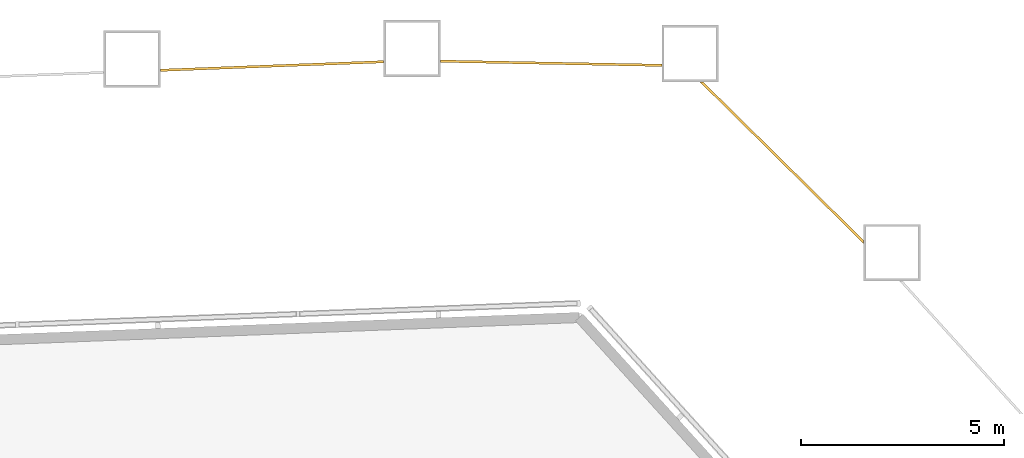
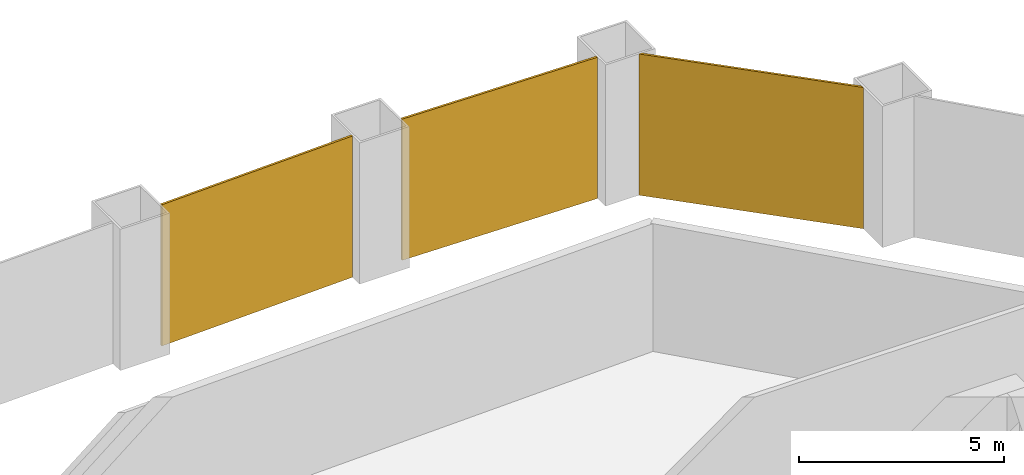
# One storey, part 18 of 18: 3 coverings.
"""IFC4 building model written with IfcOpenShell, lengths in metres."""

import ifcopenshell
import ifcopenshell.guid

model = None  # the IFC model being written
_history = None  # IfcOwnerHistory: only IFC2X3 demands one
_inside = {}  # id of a spatial element -> (the spatial element, [elements in it])
_under = {}  # id of a project, library or spatial element -> (it, [spatial elements below it])
_declared = {}  # id of a project -> (the project, [libraries it declares])
_typed = {}  # id of a type object -> (the type object, [elements of that type])
_made_of = {}  # id of a material, layer set ... -> (it, [elements and type objects made of it])


def new_model(schema):
    """Start an empty IFC model of exactly this schema.

    Asked for "IFC4X3", IfcOpenShell would pick the latest addendum, in which some entities
    have other attributes; the version numbers below select the first issue.
    IFC2X3 requires an IfcOwnerHistory on every rooted entity: one is made here for all.
    """
    global model, _history
    if schema == "IFC4X3":
        model = ifcopenshell.file(schema_version=(4, 3, 0, 0))
    else:
        model = ifcopenshell.file(schema=schema)
    _inside.clear()
    _under.clear()
    _declared.clear()
    _typed.clear()
    _made_of.clear()
    _history = None
    if model.schema == "IFC2X3":
        org = make("IfcOrganization", Name="unknown")
        user = make(
            "IfcPersonAndOrganization",
            ThePerson=make("IfcPerson", FamilyName="unknown"),
            TheOrganization=org,
        )
        app = make(
            "IfcApplication",
            ApplicationDeveloper=org,
            Version="unknown",
            ApplicationFullName="unknown",
            ApplicationIdentifier="unknown",
        )
        _history = make(
            "IfcOwnerHistory",
            OwningUser=user,
            OwningApplication=app,
            ChangeAction="ADDED",
            CreationDate=0,
        )
    return model


def make(cls, **values):
    """One entity of the class cls with the attributes given. An attribute that is None is left unset."""
    return model.create_entity(
        cls, **{name: value for name, value in values.items() if value is not None}
    )


def rooted(cls, **values):
    """An entity with a GlobalId (a new one), such as an element, a storey or a relation."""
    return make(cls, GlobalId=ifcopenshell.guid.new(), OwnerHistory=_history, **values)


def si_unit(unit_type, name, prefix=None):
    """IfcSIUnit, for example si_unit("LENGTHUNIT", "METRE", prefix="MILLI")."""
    return make("IfcSIUnit", UnitType=unit_type, Prefix=prefix, Name=name)


def assignment(units):
    """IfcUnitAssignment: the units of a project."""
    return None if units is None else make("IfcUnitAssignment", Units=units)


def point(xyz):
    """IfcCartesianPoint."""
    return None if xyz is None else make("IfcCartesianPoint", Coordinates=xyz)


def direction(xyz):
    """IfcDirection."""
    return None if xyz is None else make("IfcDirection", DirectionRatios=xyz)


def frame(location, z_axis=None, x_axis=None):
    """IfcAxis2Placement3D, a coordinate frame: its origin and axes. An axis left out is left unset."""
    return make(
        "IfcAxis2Placement3D",
        Location=point(location),
        Axis=direction(z_axis),
        RefDirection=direction(x_axis),
    )


def origin():
    """The frame at (0, 0, 0) with its axes left unset."""
    return frame((0.0, 0.0, 0.0))


def place(relative_to, where):
    """IfcLocalPlacement: puts the frame where relative to a parent placement (None: the world)."""
    return make(
        "IfcLocalPlacement", PlacementRelTo=relative_to, RelativePlacement=where
    )


def context(
    kind, dimensions, precision=None, world=None, true_north=None, identifier=None
):
    """IfcGeometricRepresentationContext, for example the 3D "Model" context."""
    return make(
        "IfcGeometricRepresentationContext",
        ContextIdentifier=identifier,
        ContextType=kind,
        CoordinateSpaceDimension=dimensions,
        Precision=precision,
        WorldCoordinateSystem=world,
        TrueNorth=true_north,
    )


def subcontext(parent, identifier, kind, view, scale=None):
    """IfcGeometricRepresentationSubContext, for example "Body" below "Model"."""
    return make(
        "IfcGeometricRepresentationSubContext",
        ContextIdentifier=identifier,
        ContextType=kind,
        ParentContext=parent,
        TargetScale=scale,
        TargetView=view,
    )


def project(units=None, contexts=None):
    """IfcProject with its units and contexts."""
    return rooted(
        "IfcProject",
        Name="project",
        RepresentationContexts=contexts,
        UnitsInContext=assignment(units),
    )


def spatial(cls, under=None, at=None, **own):
    """A site, building, storey or space (cls), placed at a placement, below another one or the project."""
    s = rooted(cls, ObjectPlacement=at, **own)
    if under is not None:
        _under.setdefault(under.id(), (under, []))[1].append(s)
    return s


def polyline(points):
    """IfcPolyline through the points."""
    return make("IfcPolyline", Points=[point(p) for p in points])


def outline(outer, holes=None, kind="AREA"):
    """IfcArbitraryClosedProfileDef: a profile drawn as a closed curve; with holes, ...WithVoids."""
    if holes is None:
        return make("IfcArbitraryClosedProfileDef", ProfileType=kind, OuterCurve=outer)
    return make(
        "IfcArbitraryProfileDefWithVoids",
        ProfileType=kind,
        OuterCurve=outer,
        InnerCurves=holes,
    )


def extrude(swept, where, along, depth):
    """IfcExtrudedAreaSolid: the profile swept, set in the frame where, extruded along a direction by depth."""
    return make(
        "IfcExtrudedAreaSolid",
        SweptArea=swept,
        Position=where,
        ExtrudedDirection=direction(along),
        Depth=depth,
    )


def shape(context_of_items, identifier, shape_type, items):
    """IfcShapeRepresentation: the items that make up one representation, for example the "Body"."""
    return make(
        "IfcShapeRepresentation",
        ContextOfItems=context_of_items,
        RepresentationIdentifier=identifier,
        RepresentationType=shape_type,
        Items=items,
    )


def material(Name=None, Category=None):
    """IfcMaterial."""
    return make("IfcMaterial", Name=Name, Category=Category)


def layer(
    of_material, thickness, ventilated=None, Name=None, Category=None, Priority=None
):
    """IfcMaterialLayer: one layer of a wall or slab, of a material (None: an air gap)."""
    return make(
        "IfcMaterialLayer",
        Material=of_material,
        LayerThickness=thickness,
        IsVentilated=ventilated,
        Name=Name,
        Category=Category,
        Priority=Priority,
    )


def layer_set(layers, Name=None):
    """IfcMaterialLayerSet."""
    return make("IfcMaterialLayerSet", MaterialLayers=layers, LayerSetName=Name)


def made_of(thing, what):
    """Note that an element or type object is made of a material, layer set ...; save() writes the relation."""
    if what is not None:
        _made_of.setdefault(what.id(), (what, []))[1].append(thing)
    return thing


def type_object(cls, material=None, **own):
    """A type object (cls), such as IfcWallType, which elements share."""
    return made_of(rooted(cls, **own), material)


def element(
    cls,
    number,
    at=None,
    inside=None,
    cuts=None,
    type_object=None,
    material=None,
    context=None,
    identifier="Body",
    shape_type=None,
    held_by="IfcProductDefinitionShape",
    body=None,
    shapes=None,
    **own,
):
    """One element of the class cls, such as IfcWall. Its Tag is "e" and its number.

    at: its placement. inside: the storey or other place that contains it. cuts: it is an
    opening in that element (IfcRelVoidsElement). A single representation is given by context,
    identifier, shape_type and body (its items); several are given by shapes. held_by: the class
    of the entity that holds the representations. save() writes the other relations.
    """
    e = rooted(cls, Tag="e%d" % number, ObjectPlacement=at, **own)
    if body is not None:
        shapes = [shape(context, identifier, shape_type, body)]
    if shapes is not None:
        e.Representation = make(held_by, Representations=shapes)
    if inside is not None:
        _inside.setdefault(inside.id(), (inside, []))[1].append(e)
    if cuts is not None:
        rooted(
            "IfcRelVoidsElement", RelatingBuildingElement=cuts, RelatedOpeningElement=e
        )
    if type_object is not None:
        _typed.setdefault(type_object.id(), (type_object, []))[1].append(e)
    return made_of(e, material)


def aggregate(whole, parts):
    """IfcRelAggregates: a whole, such as a stair, and the parts it consists of."""
    return rooted("IfcRelAggregates", RelatingObject=whole, RelatedObjects=parts)


def save(model, path):
    """Write the relations noted so far, then the file.

    IfcRelAggregates (storeys below a building ...), IfcRelContainedInSpatialStructure (elements
    in a storey), IfcRelDefinesByType, IfcRelAssociatesMaterial and IfcRelDeclares: one each for
    every whole, place, type object, material and project.
    """
    for whole, parts in _under.values():
        aggregate(whole, parts)
    for where, things in _inside.values():
        rooted(
            "IfcRelContainedInSpatialStructure",
            RelatedElements=things,
            RelatingStructure=where,
        )
    for kind, things in _typed.values():
        rooted("IfcRelDefinesByType", RelatedObjects=things, RelatingType=kind)
    for what, things in _made_of.values():
        rooted("IfcRelAssociatesMaterial", RelatedObjects=things, RelatingMaterial=what)
    for by, libraries in _declared.values():
        rooted("IfcRelDeclares", RelatingContext=by, RelatedDefinitions=libraries)
    model.write(path)


model = new_model("IFC4")

# Units and contexts
model_context = context("Model", 3, precision=1e-05, world=origin(), true_north=direction((0.0, 1.0)))
body_context = subcontext(model_context, "Body", "Model", "MODEL_VIEW")
ifc_project = project(units=[si_unit("LENGTHUNIT", "METRE"), si_unit("AREAUNIT", "SQUARE_METRE"), si_unit("VOLUMEUNIT", "CUBIC_METRE"), si_unit("PLANEANGLEUNIT", "RADIAN"), si_unit("MASSUNIT", "GRAM", prefix="KILO")], contexts=[model_context])

# Site, building, storey
site_placement = place(None, origin())
site = spatial("IfcSite", under=ifc_project, at=site_placement, CompositionType="ELEMENT")
building_placement = place(site_placement, origin())
building = spatial("IfcBuilding", under=site, at=building_placement, Name="Dongbaek Canopy Tower", CompositionType="ELEMENT")
storey_placement = place(building_placement, frame((0.0, 0.0, 359.0)))
storey = spatial("IfcBuildingStorey", under=building, at=storey_placement, Name="L77", CompositionType="ELEMENT", Elevation=359.0)

# Coverings
ifc_material = material(Name="Perforated pale metal")
ifc_layer = layer(ifc_material, 0.06005859375)
ifc_layer_set = layer_set([ifc_layer], Name="Crown plant screen")
covering_type = type_object("IfcCoveringType", Name="Crown plant screen", PredefinedType="CLADDING", material=ifc_layer_set)
covering_1_placement = place(storey_placement, origin())
element("IfcCovering", 1, at=covering_1_placement, inside=storey, type_object=covering_type, Name="Crown plant screen 17 L77", PredefinedType="CLADDING", context=body_context, shape_type="SweptSolid", body=[
    extrude(outline(polyline([(16.575927734375, 22.9775390625), (16.575927734375, 22.893310546875), (12.553466796875, 26.863037109375), (12.638916015625, 26.863037109375), (16.575927734375, 22.9775390625)])), origin(), (0.0, 0.0, 1.0), 4.199951171875),
])
covering_2_placement = place(storey_placement, origin())
element("IfcCovering", 2, at=covering_2_placement, inside=storey, type_object=covering_type, Name="Crown plant screen 18 L77", PredefinedType="CLADDING", context=body_context, shape_type="SweptSolid", body=[
    extrude(outline(polyline([(11.614013671875, 27.30615234375), (11.614013671875, 27.24609375), (6.1708984375, 27.3486328125), (6.1708984375, 27.40869140625), (11.614013671875, 27.30615234375)])), origin(), (0.0, 0.0, 1.0), 4.199951171875),
])
covering_3_placement = place(storey_placement, origin())
element("IfcCovering", 3, at=covering_3_placement, inside=storey, type_object=covering_type, Name="Crown plant screen 19 L77", PredefinedType="CLADDING", context=body_context, shape_type="SweptSolid", body=[
    extrude(outline(polyline([(4.77099609375, 27.39501953125), (4.77099609375, 27.3349609375), (-0.718017578125, 27.12451171875), (-0.718017578125, 27.1845703125), (4.77099609375, 27.39501953125)])), origin(), (0.0, 0.0, 1.0), 4.199951171875),
])

save(model, "model.ifc")
